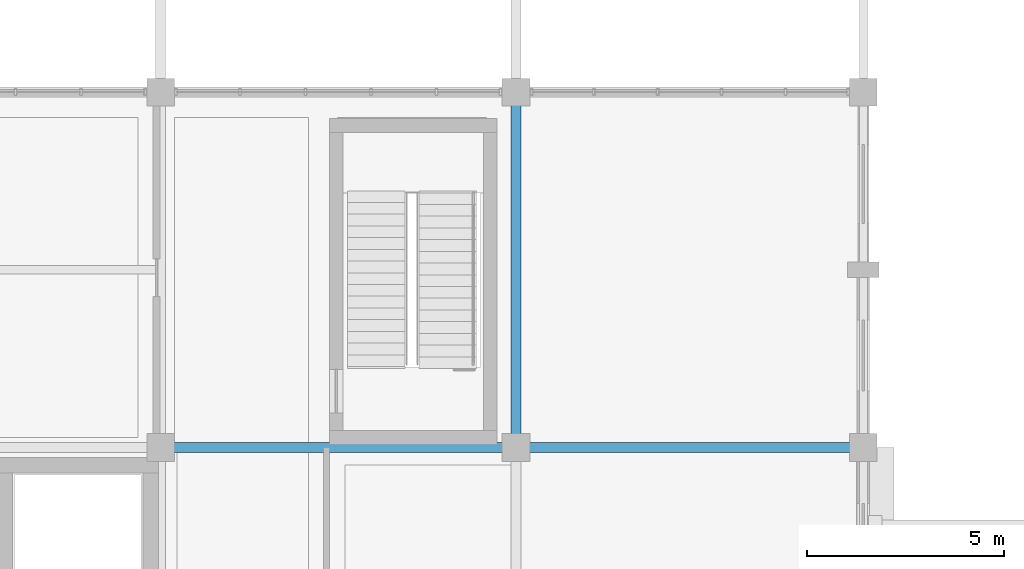
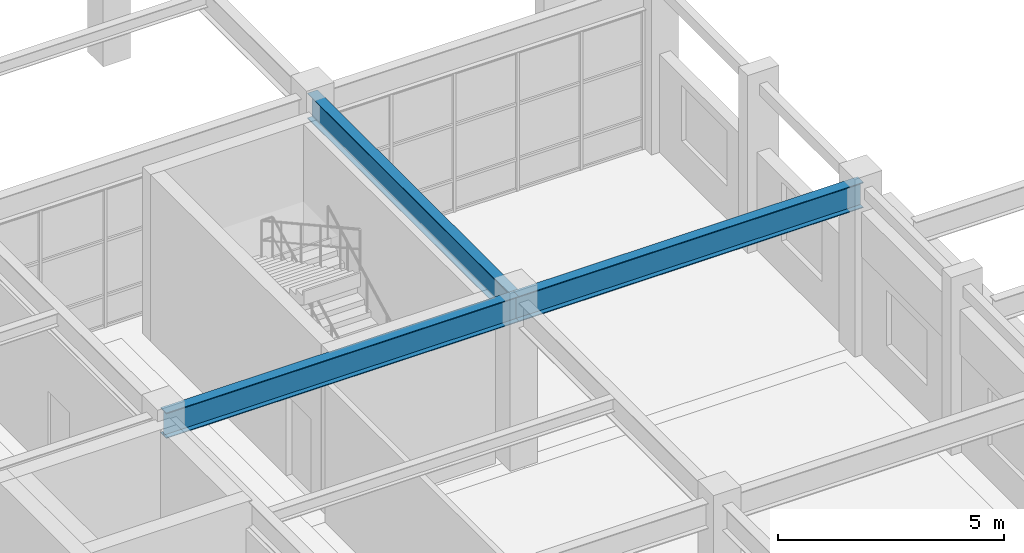
# One storey, part 29 of 104: 3 beams.
"""IFC4 building model written with IfcOpenShell, lengths in metres."""

from ifc_helpers import new_model, si_unit, direction, frame, origin, origin_2d, place, context, subcontext, project, spatial, i_section, extrude, material, material_profile, profile_set, type_object, element, save


model = new_model("IFC4")

# Units and contexts
model_context = context("Model", 3, precision=1e-05, world=origin(), true_north=direction((0.0, 1.0)))
body_context = subcontext(model_context, "Body", "Model", "MODEL_VIEW")
ifc_project = project(units=[si_unit("LENGTHUNIT", "METRE"), si_unit("AREAUNIT", "SQUARE_METRE"), si_unit("VOLUMEUNIT", "CUBIC_METRE"), si_unit("PLANEANGLEUNIT", "RADIAN"), si_unit("MASSUNIT", "GRAM", prefix="KILO")], contexts=[model_context])

# Site, building, storey
site_placement = place(None, origin())
site = spatial("IfcSite", under=ifc_project, at=site_placement, CompositionType="ELEMENT")
building_placement = place(site_placement, origin())
building = spatial("IfcBuilding", under=site, at=building_placement, Name="Ventoquebrada Cableway Terminal", CompositionType="ELEMENT")
storey_placement = place(building_placement, frame((0.0, 0.0, 4.800048828125)))
storey = spatial("IfcBuildingStorey", under=building, at=storey_placement, Name="L01", CompositionType="ELEMENT", Elevation=4.800048828125)

# Beams
ifc_material = material(Name="Steel ASTM A992 Grade 50", Category="steel")
ifc_material_profile = material_profile(ifc_material, i_section(OverallWidth=0.25390625, OverallDepth=0.68798828125, WebThickness=0.01318359375, FlangeThickness=0.02099609375, at=origin_2d()), Name="W27X102")
ifc_profile_set = profile_set([ifc_material_profile], Name="Steel ASTM A992 Grade 50")
beam_type = type_object("IfcBeamType", Name="BM-ST04", PredefinedType="BEAM", material=ifc_profile_set)
beam_1_placement = place(storey_placement, frame((17.199951171875, 86.0, 4.120849609375), z_axis=(1.0, 0.0, 0.0), x_axis=(0.0, 1.0, 0.0)))
element("IfcBeam", 1, at=beam_1_placement, inside=storey, type_object=beam_type, Name="Primary frame girder FBM-0390", PredefinedType="BEAM", context=body_context, shape_type="SweptSolid", body=[
    extrude(i_section(OverallWidth=0.25390625, OverallDepth=0.68798828125, WebThickness=0.01318359375, FlangeThickness=0.02099609375, at=origin_2d()), origin(), (0.0, 0.0, 1.0), 9.0),
])
beam_2_placement = place(storey_placement, frame((26.199951171875, 86.0, 4.120849609375), z_axis=(1.0, 0.0, 0.0), x_axis=(0.0, 1.0, 0.0)))
element("IfcBeam", 2, at=beam_2_placement, inside=storey, type_object=beam_type, Name="Primary frame girder FBM-0391", PredefinedType="BEAM", context=body_context, shape_type="SweptSolid", body=[
    extrude(i_section(OverallWidth=0.25390625, OverallDepth=0.68798828125, WebThickness=0.01318359375, FlangeThickness=0.02099609375, at=origin_2d()), origin(), (0.0, 0.0, 1.0), 8.800048828125),
])
beam_3_placement = place(storey_placement, frame((26.199951171875, 86.0, 4.120849609375), z_axis=(0.0, 1.0, 0.0), x_axis=(-1.0, 0.0, 0.0)))
element("IfcBeam", 3, at=beam_3_placement, inside=storey, type_object=beam_type, Name="Primary frame girder FBM-0424", PredefinedType="BEAM", context=body_context, shape_type="SweptSolid", body=[
    extrude(i_section(OverallWidth=0.25390625, OverallDepth=0.68798828125, WebThickness=0.01318359375, FlangeThickness=0.02099609375, at=origin_2d()), origin(), (0.0, 0.0, 1.0), 9.0),
])

save(model, "model.ifc")
